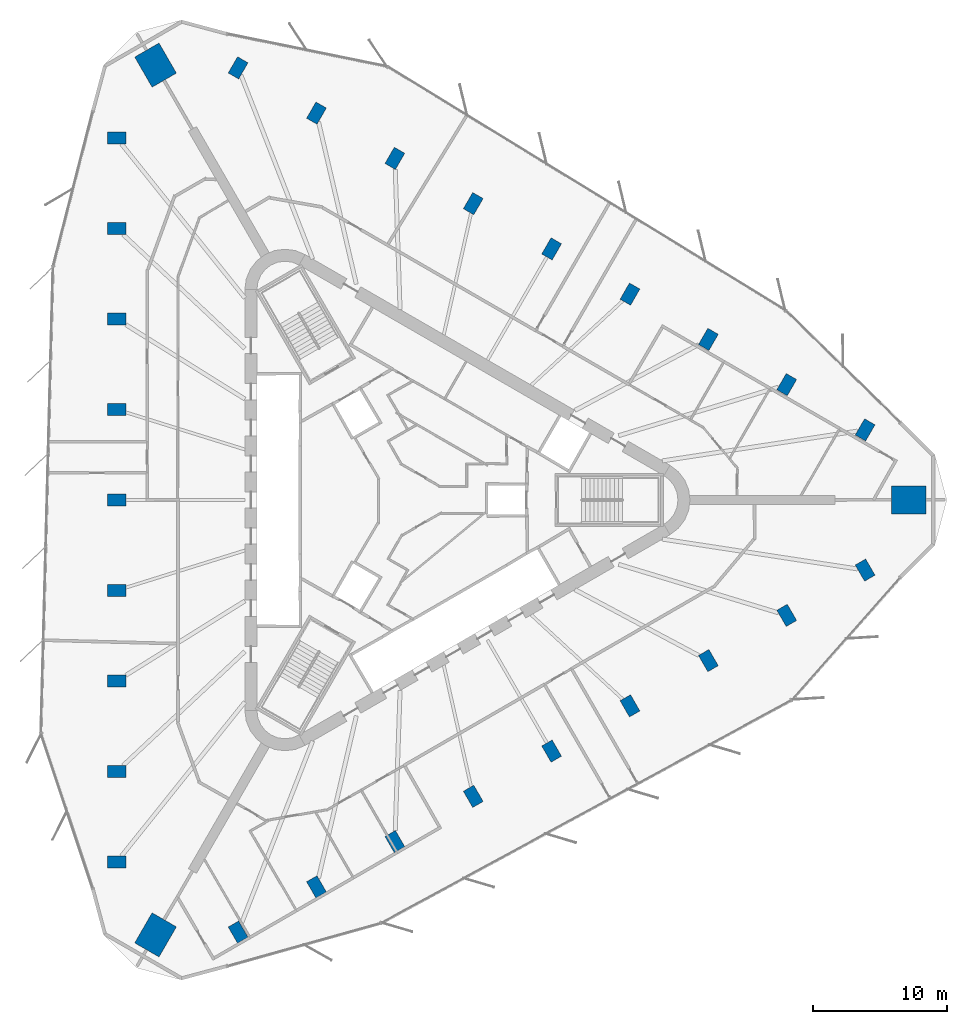
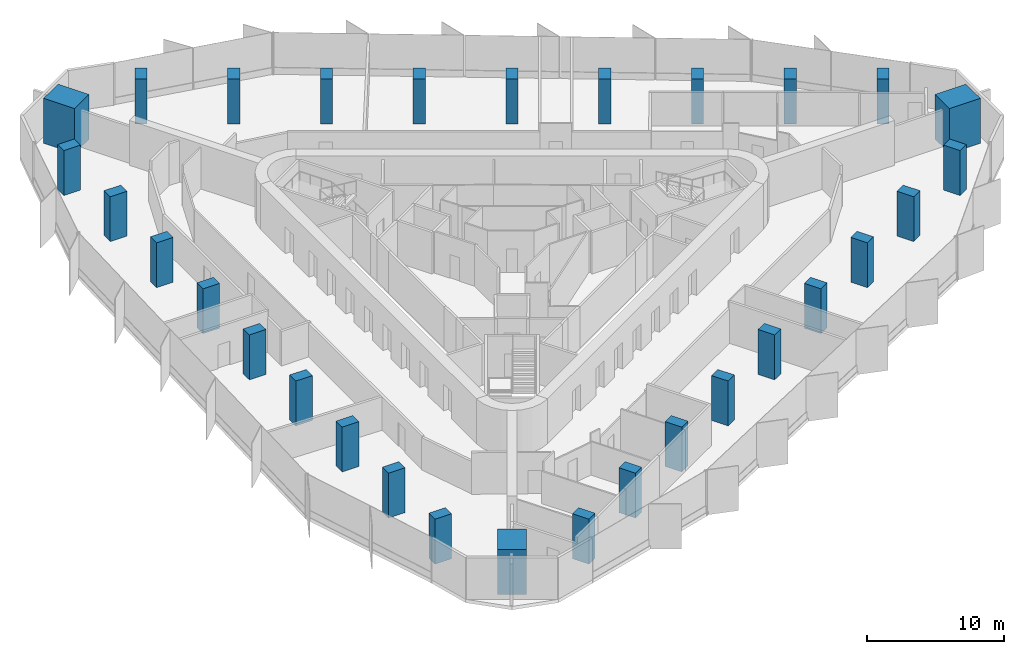
# One storey, part 1 of 14: 30 columns.
"""IFC4 building model written with IfcOpenShell, lengths in metres."""

import ifcopenshell
import ifcopenshell.guid

model = None  # the IFC model being written
_history = None  # IfcOwnerHistory: only IFC2X3 demands one
_inside = {}  # id of a spatial element -> (the spatial element, [elements in it])
_under = {}  # id of a project, library or spatial element -> (it, [spatial elements below it])
_declared = {}  # id of a project -> (the project, [libraries it declares])
_typed = {}  # id of a type object -> (the type object, [elements of that type])
_made_of = {}  # id of a material, layer set ... -> (it, [elements and type objects made of it])


def new_model(schema):
    """Start an empty IFC model of exactly this schema.

    Asked for "IFC4X3", IfcOpenShell would pick the latest addendum, in which some entities
    have other attributes; the version numbers below select the first issue.
    IFC2X3 requires an IfcOwnerHistory on every rooted entity: one is made here for all.
    """
    global model, _history
    if schema == "IFC4X3":
        model = ifcopenshell.file(schema_version=(4, 3, 0, 0))
    else:
        model = ifcopenshell.file(schema=schema)
    _inside.clear()
    _under.clear()
    _declared.clear()
    _typed.clear()
    _made_of.clear()
    _history = None
    if model.schema == "IFC2X3":
        org = make("IfcOrganization", Name="unknown")
        user = make(
            "IfcPersonAndOrganization",
            ThePerson=make("IfcPerson", FamilyName="unknown"),
            TheOrganization=org,
        )
        app = make(
            "IfcApplication",
            ApplicationDeveloper=org,
            Version="unknown",
            ApplicationFullName="unknown",
            ApplicationIdentifier="unknown",
        )
        _history = make(
            "IfcOwnerHistory",
            OwningUser=user,
            OwningApplication=app,
            ChangeAction="ADDED",
            CreationDate=0,
        )
    return model


def make(cls, **values):
    """One entity of the class cls with the attributes given. An attribute that is None is left unset."""
    return model.create_entity(
        cls, **{name: value for name, value in values.items() if value is not None}
    )


def rooted(cls, **values):
    """An entity with a GlobalId (a new one), such as an element, a storey or a relation."""
    return make(cls, GlobalId=ifcopenshell.guid.new(), OwnerHistory=_history, **values)


def si_unit(unit_type, name, prefix=None):
    """IfcSIUnit, for example si_unit("LENGTHUNIT", "METRE", prefix="MILLI")."""
    return make("IfcSIUnit", UnitType=unit_type, Prefix=prefix, Name=name)


def assignment(units):
    """IfcUnitAssignment: the units of a project."""
    return None if units is None else make("IfcUnitAssignment", Units=units)


def point(xyz):
    """IfcCartesianPoint."""
    return None if xyz is None else make("IfcCartesianPoint", Coordinates=xyz)


def direction(xyz):
    """IfcDirection."""
    return None if xyz is None else make("IfcDirection", DirectionRatios=xyz)


def frame(location, z_axis=None, x_axis=None):
    """IfcAxis2Placement3D, a coordinate frame: its origin and axes. An axis left out is left unset."""
    return make(
        "IfcAxis2Placement3D",
        Location=point(location),
        Axis=direction(z_axis),
        RefDirection=direction(x_axis),
    )


def frame_2d(location, x_axis=None):
    """IfcAxis2Placement2D, a coordinate frame in the plane: its origin and x axis."""
    return make(
        "IfcAxis2Placement2D", Location=point(location), RefDirection=direction(x_axis)
    )


def origin():
    """The frame at (0, 0, 0) with its axes left unset."""
    return frame((0.0, 0.0, 0.0))


def origin_2d():
    """The frame at (0, 0) in the plane with its x axis left unset."""
    return frame_2d((0.0, 0.0))


def place(relative_to, where):
    """IfcLocalPlacement: puts the frame where relative to a parent placement (None: the world)."""
    return make(
        "IfcLocalPlacement", PlacementRelTo=relative_to, RelativePlacement=where
    )


def context(
    kind, dimensions, precision=None, world=None, true_north=None, identifier=None
):
    """IfcGeometricRepresentationContext, for example the 3D "Model" context."""
    return make(
        "IfcGeometricRepresentationContext",
        ContextIdentifier=identifier,
        ContextType=kind,
        CoordinateSpaceDimension=dimensions,
        Precision=precision,
        WorldCoordinateSystem=world,
        TrueNorth=true_north,
    )


def subcontext(parent, identifier, kind, view, scale=None):
    """IfcGeometricRepresentationSubContext, for example "Body" below "Model"."""
    return make(
        "IfcGeometricRepresentationSubContext",
        ContextIdentifier=identifier,
        ContextType=kind,
        ParentContext=parent,
        TargetScale=scale,
        TargetView=view,
    )


def project(units=None, contexts=None):
    """IfcProject with its units and contexts."""
    return rooted(
        "IfcProject",
        Name="project",
        RepresentationContexts=contexts,
        UnitsInContext=assignment(units),
    )


def spatial(cls, under=None, at=None, **own):
    """A site, building, storey or space (cls), placed at a placement, below another one or the project."""
    s = rooted(cls, ObjectPlacement=at, **own)
    if under is not None:
        _under.setdefault(under.id(), (under, []))[1].append(s)
    return s


def profile(cls, at=None, kind="AREA", **sizes):
    """A parametric profile (cls). Its sizes go by their IFC names, for example OverallWidth=200.0."""
    return make(cls, ProfileType=kind, Position=at, **sizes)


def rectangle(**sizes):
    """IfcRectangleProfileDef."""
    return profile("IfcRectangleProfileDef", **sizes)


def extrude(swept, where, along, depth):
    """IfcExtrudedAreaSolid: the profile swept, set in the frame where, extruded along a direction by depth."""
    return make(
        "IfcExtrudedAreaSolid",
        SweptArea=swept,
        Position=where,
        ExtrudedDirection=direction(along),
        Depth=depth,
    )


def shape(context_of_items, identifier, shape_type, items):
    """IfcShapeRepresentation: the items that make up one representation, for example the "Body"."""
    return make(
        "IfcShapeRepresentation",
        ContextOfItems=context_of_items,
        RepresentationIdentifier=identifier,
        RepresentationType=shape_type,
        Items=items,
    )


def material(Name=None, Category=None):
    """IfcMaterial."""
    return make("IfcMaterial", Name=Name, Category=Category)


def material_profile(
    of_material, cross_section, Name=None, Category=None, Priority=None
):
    """IfcMaterialProfile: a cross section and its material."""
    return make(
        "IfcMaterialProfile",
        Name=Name,
        Material=of_material,
        Profile=cross_section,
        Priority=Priority,
        Category=Category,
    )


def profile_set(profiles, Name=None, composite=None):
    """IfcMaterialProfileSet."""
    return make(
        "IfcMaterialProfileSet",
        Name=Name,
        MaterialProfiles=profiles,
        CompositeProfile=composite,
    )


def made_of(thing, what):
    """Note that an element or type object is made of a material, layer set ...; save() writes the relation."""
    if what is not None:
        _made_of.setdefault(what.id(), (what, []))[1].append(thing)
    return thing


def type_object(cls, material=None, **own):
    """A type object (cls), such as IfcWallType, which elements share."""
    return made_of(rooted(cls, **own), material)


def element(
    cls,
    number,
    at=None,
    inside=None,
    cuts=None,
    type_object=None,
    material=None,
    context=None,
    identifier="Body",
    shape_type=None,
    held_by="IfcProductDefinitionShape",
    body=None,
    shapes=None,
    **own,
):
    """One element of the class cls, such as IfcWall. Its Tag is "e" and its number.

    at: its placement. inside: the storey or other place that contains it. cuts: it is an
    opening in that element (IfcRelVoidsElement). A single representation is given by context,
    identifier, shape_type and body (its items); several are given by shapes. held_by: the class
    of the entity that holds the representations. save() writes the other relations.
    """
    e = rooted(cls, Tag="e%d" % number, ObjectPlacement=at, **own)
    if body is not None:
        shapes = [shape(context, identifier, shape_type, body)]
    if shapes is not None:
        e.Representation = make(held_by, Representations=shapes)
    if inside is not None:
        _inside.setdefault(inside.id(), (inside, []))[1].append(e)
    if cuts is not None:
        rooted(
            "IfcRelVoidsElement", RelatingBuildingElement=cuts, RelatedOpeningElement=e
        )
    if type_object is not None:
        _typed.setdefault(type_object.id(), (type_object, []))[1].append(e)
    return made_of(e, material)


def aggregate(whole, parts):
    """IfcRelAggregates: a whole, such as a stair, and the parts it consists of."""
    return rooted("IfcRelAggregates", RelatingObject=whole, RelatedObjects=parts)


def save(model, path):
    """Write the relations noted so far, then the file.

    IfcRelAggregates (storeys below a building ...), IfcRelContainedInSpatialStructure (elements
    in a storey), IfcRelDefinesByType, IfcRelAssociatesMaterial and IfcRelDeclares: one each for
    every whole, place, type object, material and project.
    """
    for whole, parts in _under.values():
        aggregate(whole, parts)
    for where, things in _inside.values():
        rooted(
            "IfcRelContainedInSpatialStructure",
            RelatedElements=things,
            RelatingStructure=where,
        )
    for kind, things in _typed.values():
        rooted("IfcRelDefinesByType", RelatedObjects=things, RelatingType=kind)
    for what, things in _made_of.values():
        rooted("IfcRelAssociatesMaterial", RelatedObjects=things, RelatingMaterial=what)
    for by, libraries in _declared.values():
        rooted("IfcRelDeclares", RelatingContext=by, RelatedDefinitions=libraries)
    model.write(path)


model = new_model("IFC4")

# Units and contexts
model_context = context("Model", 3, precision=1e-05, world=origin(), true_north=direction((0.0, 1.0)))
body_context = subcontext(model_context, "Body", "Model", "MODEL_VIEW")
ifc_project = project(units=[si_unit("LENGTHUNIT", "METRE"), si_unit("AREAUNIT", "SQUARE_METRE"), si_unit("VOLUMEUNIT", "CUBIC_METRE"), si_unit("PLANEANGLEUNIT", "RADIAN"), si_unit("MASSUNIT", "GRAM", prefix="KILO")], contexts=[model_context])

# Site, building, storey
site_placement = place(None, origin())
site = spatial("IfcSite", under=ifc_project, at=site_placement, CompositionType="ELEMENT")
building_placement = place(site_placement, origin())
building = spatial("IfcBuilding", under=site, at=building_placement, Name="Tanit Gate Tower", CompositionType="ELEMENT")
storey_placement = place(building_placement, frame((0.0, 0.0, 245.199951171875)))
storey = spatial("IfcBuildingStorey", under=building, at=storey_placement, Name="L55", CompositionType="ELEMENT", Elevation=245.199951171875)

# Columns
ifc_material_1 = material(Name="Concrete C60/75", Category="concrete")
ifc_material_profile_1 = material_profile(ifc_material_1, rectangle(XDim=2.60009765625, YDim=2.10009765625, at=origin_2d()), Name="RC 2600x2100")
ifc_profile_set_1 = profile_set([ifc_material_profile_1], Name="Concrete C60/75")
column_type_1 = type_object("IfcColumnType", Name="MEGA COLUMN 2600x2100 C60/75", PredefinedType="COLUMN", material=ifc_profile_set_1)
for number, where, z_axis, x_axis, name in (
    (1, (37.56982421875, 0.0, 0.0), (0.0, 0.0, 1.0), (1.0, 0.0, 0.0), "MEGA COLUMN"),
    (2, (-18.784912109375, 32.536376953125, 0.0), (0.0, 0.0, 1.0), (-0.5, 0.866025403784, 0.0), "MEGA COLUMN"),
    (3, (-18.784912109375, -32.536376953125, 0.0), (0.0, 0.0, 1.0), (-0.5, -0.866025403784, 0.0), "MEGA COLUMN"),
):
    element("IfcColumn", number, at=place(storey_placement, frame(where, z_axis=z_axis, x_axis=x_axis)), inside=storey, type_object=column_type_1, Name=name, PredefinedType="COLUMN", context=body_context, shape_type="SweptSolid", body=[
        extrude(rectangle(XDim=2.60009765625, YDim=2.10009765625, at=origin_2d()), origin(), (0.0, 0.0, 1.0), 4.0),
    ])
ifc_material_2 = material(Name="Concrete C50/60", Category="concrete")
ifc_material_profile_2 = material_profile(ifc_material_2, rectangle(XDim=1.39990234375, YDim=0.89990234375, at=origin_2d()), Name="RC 1400x900")
ifc_profile_set_2 = profile_set([ifc_material_profile_2], Name="Concrete C50/60")
column_type_2 = type_object("IfcColumnType", Name="PERIMETER COLUMN 1400x900 C50/60", PredefinedType="COLUMN", material=ifc_profile_set_2)
for number, where, z_axis, x_axis, name in (
    (4, (-21.693359375, 27.083984375, 0.0), (0.0, 0.0, 1.0), (-1.0, 0.0, 0.0), "PERIMETER COLUMN"),
    (5, (-21.693359375, 20.31298828125, 0.0), (0.0, 0.0, 1.0), (-1.0, 0.0, 0.0), "PERIMETER COLUMN"),
    (6, (-21.693359375, 13.5419921875, 0.0), (0.0, 0.0, 1.0), (-1.0, 0.0, 0.0), "PERIMETER COLUMN"),
    (7, (-21.693359375, 6.77099609375, 0.0), (0.0, 0.0, 1.0), (-1.0, 0.0, 0.0), "PERIMETER COLUMN"),
    (8, (-21.693359375, 0.0, 0.0), (0.0, 0.0, 1.0), (-1.0, 0.0, 0.0), "PERIMETER COLUMN"),
    (9, (-21.693359375, -6.77099609375, 0.0), (0.0, 0.0, 1.0), (-1.0, 0.0, 0.0), "PERIMETER COLUMN"),
    (10, (-21.693359375, -13.5419921875, 0.0), (0.0, 0.0, 1.0), (-1.0, 0.0, 0.0), "PERIMETER COLUMN"),
    (11, (-21.693359375, -20.31298828125, 0.0), (0.0, 0.0, 1.0), (-1.0, 0.0, 0.0), "PERIMETER COLUMN"),
    (12, (-21.693359375, -27.083984375, 0.0), (0.0, 0.0, 1.0), (-1.0, 0.0, 0.0), "PERIMETER COLUMN"),
    (13, (34.302001953125, 5.2451171875, 0.0), (0.0, 0.0, 1.0), (0.5, 0.866025403784, 0.0), "PERIMETER COLUMN"),
    (14, (28.438232421875, 8.630615234375, 0.0), (0.0, 0.0, 1.0), (0.5, 0.866025403784, 0.0), "PERIMETER COLUMN"),
    (15, (22.57421875, 12.015869140625, 0.0), (0.0, 0.0, 1.0), (0.5, 0.866025403784, 0.0), "PERIMETER COLUMN"),
    (16, (16.71044921875, 15.4013671875, 0.0), (0.0, 0.0, 1.0), (0.5, 0.866025403784, 0.0), "PERIMETER COLUMN"),
    (17, (10.8466796875, 18.786865234375, 0.0), (0.0, 0.0, 1.0), (0.5, 0.866025403784, 0.0), "PERIMETER COLUMN"),
    (18, (4.98291015625, 22.17236328125, 0.0), (0.0, 0.0, 1.0), (0.5, 0.866025403784, 0.0), "PERIMETER COLUMN"),
    (19, (-0.881103515625, 25.557861328125, 0.0), (0.0, 0.0, 1.0), (0.5, 0.866025403784, 0.0), "PERIMETER COLUMN"),
    (20, (-6.744873046875, 28.943359375, 0.0), (0.0, 0.0, 1.0), (0.5, 0.866025403784, 0.0), "PERIMETER COLUMN"),
    (21, (-12.608642578125, 32.328857421875, 0.0), (0.0, 0.0, 1.0), (0.5, 0.866025403784, 0.0), "PERIMETER COLUMN"),
    (22, (-12.608642578125, -32.328857421875, 0.0), (0.0, 0.0, 1.0), (0.5, -0.866025403784, 0.0), "PERIMETER COLUMN"),
    (23, (-6.744873046875, -28.943359375, 0.0), (0.0, 0.0, 1.0), (0.5, -0.866025403784, 0.0), "PERIMETER COLUMN"),
    (24, (-0.881103515625, -25.557861328125, 0.0), (0.0, 0.0, 1.0), (0.5, -0.866025403784, 0.0), "PERIMETER COLUMN"),
    (25, (4.98291015625, -22.17236328125, 0.0), (0.0, 0.0, 1.0), (0.5, -0.866025403784, 0.0), "PERIMETER COLUMN"),
    (26, (10.8466796875, -18.786865234375, 0.0), (0.0, 0.0, 1.0), (0.5, -0.866025403784, 0.0), "PERIMETER COLUMN"),
    (27, (16.71044921875, -15.4013671875, 0.0), (0.0, 0.0, 1.0), (0.5, -0.866025403784, 0.0), "PERIMETER COLUMN"),
    (28, (22.57421875, -12.015869140625, 0.0), (0.0, 0.0, 1.0), (0.5, -0.866025403784, 0.0), "PERIMETER COLUMN"),
    (29, (28.438232421875, -8.630615234375, 0.0), (0.0, 0.0, 1.0), (0.5, -0.866025403784, 0.0), "PERIMETER COLUMN"),
    (30, (34.302001953125, -5.2451171875, 0.0), (0.0, 0.0, 1.0), (0.5, -0.866025403784, 0.0), "PERIMETER COLUMN"),
):
    element("IfcColumn", number, at=place(storey_placement, frame(where, z_axis=z_axis, x_axis=x_axis)), inside=storey, type_object=column_type_2, Name=name, PredefinedType="COLUMN", context=body_context, shape_type="SweptSolid", body=[
        extrude(rectangle(XDim=1.39990234375, YDim=0.89990234375, at=origin_2d()), origin(), (0.0, 0.0, 1.0), 4.0),
    ])

save(model, "model.ifc")
